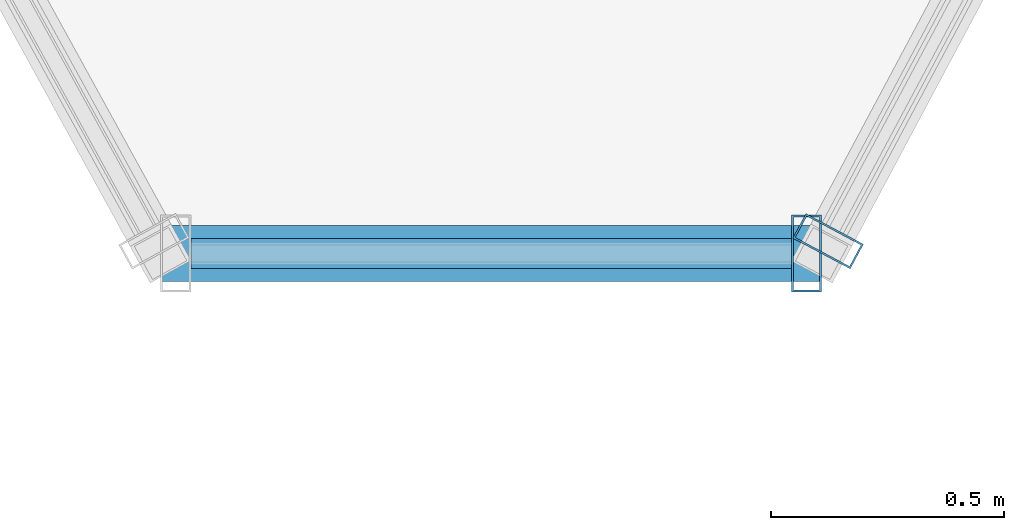
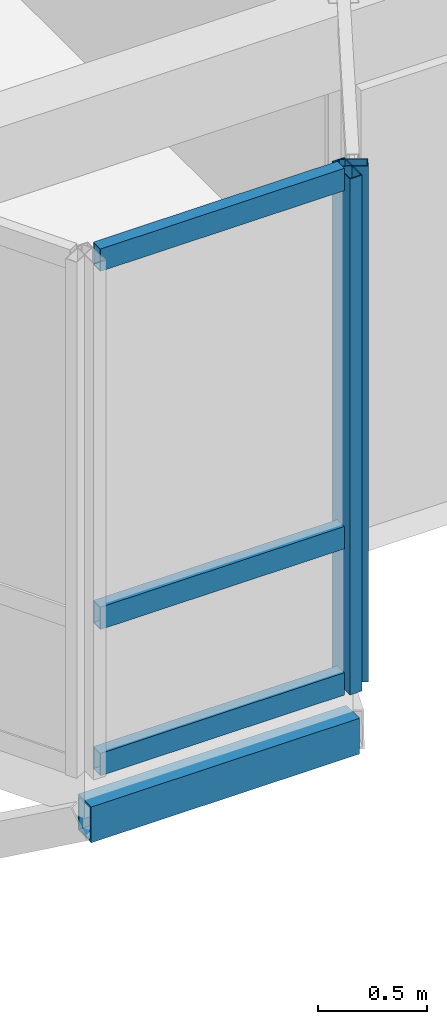
# One storey, part 63 of 124: 6 members, 2 elements without a shape of their own.
"""IFC4 building model written with IfcOpenShell, lengths in metres."""

from ifc_helpers import new_model, si_unit, direction, frame, origin, origin_2d, place, context, subcontext, project, spatial, hollow_rectangle, extrude, material, layer, layer_set, material_profile, profile_set, type_object, element, aggregate, save


model = new_model("IFC4")

# Units and contexts
model_context = context("Model", 3, precision=1e-05, world=origin(), true_north=direction((0.0, 1.0)))
body_context = subcontext(model_context, "Body", "Model", "MODEL_VIEW")
ifc_project = project(units=[si_unit("LENGTHUNIT", "METRE"), si_unit("AREAUNIT", "SQUARE_METRE"), si_unit("VOLUMEUNIT", "CUBIC_METRE"), si_unit("PLANEANGLEUNIT", "RADIAN"), si_unit("MASSUNIT", "GRAM", prefix="KILO"), si_unit("THERMODYNAMICTEMPERATUREUNIT", "KELVIN"), si_unit("POWERUNIT", "WATT")], contexts=[model_context])

# Site, building, storey
site_placement = place(None, origin())
site = spatial("IfcSite", under=ifc_project, at=site_placement, CompositionType="ELEMENT")
building_placement = place(site_placement, origin())
building = spatial("IfcBuilding", under=site, at=building_placement, Name="Tavuni Mirador Residences", CompositionType="ELEMENT")
storey_placement = place(building_placement, frame((0.0, 0.0, 7.64990234375)))
storey = spatial("IfcBuildingStorey", under=building, at=storey_placement, Name="L02", CompositionType="ELEMENT", Elevation=7.64990234375)

# Curtain wall, member
ifc_material_1 = material(Name="Anodised aluminium", Category="aluminium")
ifc_layer_1 = layer(ifc_material_1, 0.1650390625, Name="Anodised aluminium", Category="aluminium")
ifc_layer_set_1 = layer_set([ifc_layer_1], Name="Anodised aluminium")
curtain_wall_type_1 = type_object("IfcCurtainWallType", Name="CWT-MIR-A", PredefinedType="NOTDEFINED", material=ifc_layer_set_1)
curtain_wall_1_placement = place(storey_placement, origin())
curtain_wall_1 = element("IfcCurtainWall", 1, at=curtain_wall_1_placement, inside=storey, type_object=curtain_wall_type_1, Name="CW-MIR-C-S3-L02-M2", PredefinedType="NOTDEFINED")
ifc_material_profile_1 = material_profile(ifc_material_1, hollow_rectangle(XDim=0.06005859375, YDim=0.139892578125, WallThickness=0.00390625, at=origin_2d()), Name="ALU 60x140x4.0", Category="aluminium")
ifc_profile_set_1 = profile_set([ifc_material_profile_1], Name="Anodised aluminium")
member_type_1 = type_object("IfcMemberType", Name="CWM-140", PredefinedType="MULLION", material=ifc_profile_set_1)
member_1_placement = place(storey_placement, frame((49.194091796875, 142.826416015625, 0.0), z_axis=(0.0, 0.0, 1.0), x_axis=(0.470588235296, 0.882352941175, 0.0)))
member_1 = element("IfcMember", 2, at=member_1_placement, type_object=member_type_1, Name="CW-01 mullion 1", PredefinedType="MULLION", context=body_context, shape_type="SweptSolid", body=[
    extrude(hollow_rectangle(XDim=0.06005859375, YDim=0.139892578125, WallThickness=0.00390625, at=origin_2d()), origin(), (0.0, 0.0, 1.0), 2.885009765625),
])
aggregate(curtain_wall_1, [member_1])

# Curtain wall, members
ifc_layer_2 = layer(ifc_material_1, 0.159912109375, Name="Anodised aluminium", Category="aluminium")
ifc_layer_set_2 = layer_set([ifc_layer_2], Name="Anodised aluminium")
curtain_wall_type_2 = type_object("IfcCurtainWallType", Name="CWT-MIR-D", PredefinedType="NOTDEFINED", material=ifc_layer_set_2)
curtain_wall_2_placement = place(storey_placement, origin())
curtain_wall_2 = element("IfcCurtainWall", 3, at=curtain_wall_2_placement, inside=storey, type_object=curtain_wall_type_2, Name="CW-MIR-C-S3-L02-MF", PredefinedType="NOTDEFINED")
ifc_material_profile_2 = material_profile(ifc_material_1, hollow_rectangle(XDim=0.06494140625, YDim=0.1650390625, WallThickness=0.00439453125, at=origin_2d()), Name="ALU 65x165x4.5", Category="aluminium")
ifc_profile_set_2 = profile_set([ifc_material_profile_2], Name="Anodised aluminium")
member_type_2 = type_object("IfcMemberType", Name="CWM-165", PredefinedType="MULLION", material=ifc_profile_set_2)
member_2_placement = place(storey_placement, frame((49.1474609375, 142.800048828125, 0.0), z_axis=(0.0, 0.0, 1.0), x_axis=(1.0, 0.0, 0.0)))
member_2 = element("IfcMember", 4, at=member_2_placement, type_object=member_type_2, Name="CW-04 mullion 2", PredefinedType="MULLION", context=body_context, shape_type="SweptSolid", body=[
    extrude(hollow_rectangle(XDim=0.06494140625, YDim=0.1650390625, WallThickness=0.00439453125, at=origin_2d()), origin(), (0.0, 0.0, 1.0), 2.885009765625),
])
ifc_material_profile_3 = material_profile(ifc_material_1, hollow_rectangle(XDim=0.06494140625, YDim=0.125, WallThickness=0.00439453125, at=origin_2d()), Name="ALU 65x125x4.5", Category="aluminium")
ifc_profile_set_3 = profile_set([ifc_material_profile_3], Name="Anodised aluminium")
member_type_3 = type_object("IfcMemberType", Name="CWT-125", PredefinedType="USERDEFINED", material=ifc_profile_set_3)
member_3_placement = place(storey_placement, frame((47.824951171875, 142.800048828125, 0.03271484375), z_axis=(1.0, 0.0, 0.0), x_axis=(0.0, 1.0, 0.0)))
member_3 = element("IfcMember", 5, at=member_3_placement, type_object=member_type_3, Name="CW-04 transom 1.1", ObjectType="TRANSOM", PredefinedType="USERDEFINED", context=body_context, shape_type="SweptSolid", body=[
    extrude(hollow_rectangle(XDim=0.06494140625, YDim=0.125, WallThickness=0.00439453125, at=origin_2d()), origin(), (0.0, 0.0, 1.0), 1.2900390625),
])
member_4_placement = place(storey_placement, frame((47.824951171875, 142.800048828125, 0.85009765625), z_axis=(1.0, 0.0, 0.0), x_axis=(0.0, 1.0, 0.0)))
member_4 = element("IfcMember", 6, at=member_4_placement, type_object=member_type_3, Name="CW-04 transom 1.2", ObjectType="TRANSOM", PredefinedType="USERDEFINED", context=body_context, shape_type="SweptSolid", body=[
    extrude(hollow_rectangle(XDim=0.06494140625, YDim=0.125, WallThickness=0.00439453125, at=origin_2d()), origin(), (0.0, 0.0, 1.0), 1.2900390625),
])
member_5_placement = place(storey_placement, frame((47.824951171875, 142.800048828125, 2.8525390625), z_axis=(1.0, 0.0, 0.0), x_axis=(0.0, 1.0, 0.0)))
member_5 = element("IfcMember", 7, at=member_5_placement, type_object=member_type_3, Name="CW-04 transom 1.3", ObjectType="TRANSOM", PredefinedType="USERDEFINED", context=body_context, shape_type="SweptSolid", body=[
    extrude(hollow_rectangle(XDim=0.06494140625, YDim=0.125, WallThickness=0.00439453125, at=origin_2d()), origin(), (0.0, 0.0, 1.0), 1.2900390625),
])
aggregate(curtain_wall_2, [member_2, member_3, member_4, member_5])

# Member
ifc_material_2 = material(Name="Structural steel S355", Category="steel")
ifc_material_profile_4 = material_profile(ifc_material_2, hollow_rectangle(XDim=0.1201171875, YDim=0.199951171875, WallThickness=0.010009765625, at=origin_2d()), Name="RHS 200x120x10.0", Category="steel")
ifc_profile_set_4 = profile_set([ifc_material_profile_4], Name="Structural steel S355")
member_type_4 = type_object("IfcMemberType", Name="MT-ST-RHS200", PredefinedType="STRUT", material=ifc_profile_set_4)
member_6_placement = place(storey_placement, frame((47.760009765625, 142.800048828125, -0.264892578125), z_axis=(1.0, 0.0, 0.0), x_axis=(0.0, 1.0, 0.0)))
element("IfcMember", 8, at=member_6_placement, inside=storey, type_object=member_type_4, Name="MRIM-MIR-C-S3-L02", PredefinedType="STRUT", context=body_context, shape_type="SweptSolid", body=[
    extrude(hollow_rectangle(XDim=0.1201171875, YDim=0.199951171875, WallThickness=0.010009765625, at=origin_2d()), origin(), (0.0, 0.0, 1.0), 1.419921875),
])

save(model, "model.ifc")
